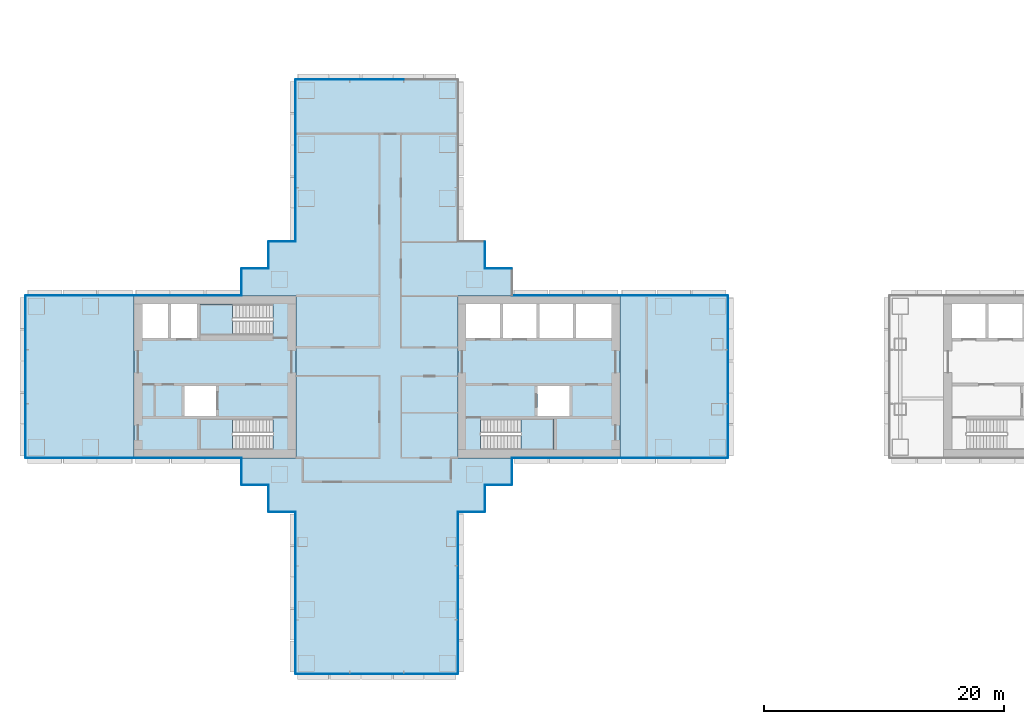
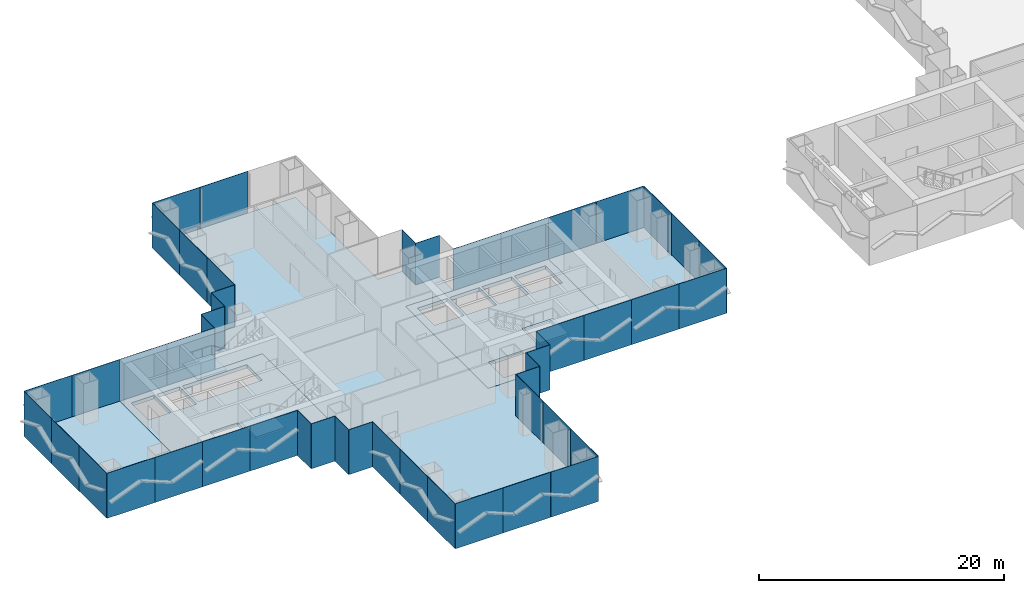
# One storey, part 11 of 22: 50 plates, 8 slabs, 22 elements without a shape of their own.
"""IFC4 building model written with IfcOpenShell, lengths in metres."""

from ifc_helpers import new_model, si_unit, direction, frame, origin, origin_2d, place, context, subcontext, project, spatial, polyline, rectangle, outline, extrude, material, layer, layer_set, type_object, element, aggregate, save


model = new_model("IFC4")

# Units and contexts
model_context = context("Model", 3, precision=1e-05, world=origin(), true_north=direction((0.0, 1.0)))
body_context = subcontext(model_context, "Body", "Model", "MODEL_VIEW")
ifc_project = project(units=[si_unit("LENGTHUNIT", "METRE"), si_unit("AREAUNIT", "SQUARE_METRE"), si_unit("VOLUMEUNIT", "CUBIC_METRE"), si_unit("PLANEANGLEUNIT", "RADIAN"), si_unit("MASSUNIT", "GRAM", prefix="KILO")], contexts=[model_context])

# Site, building, storey
site_placement = place(None, origin())
site = spatial("IfcSite", under=ifc_project, at=site_placement, CompositionType="ELEMENT")
building_placement = place(site_placement, origin())
building = spatial("IfcBuilding", under=site, at=building_placement, Name="Shamsa Quay Exchange Towers", CompositionType="ELEMENT")
storey_placement = place(building_placement, frame((0.0, 0.0, 37.5)))
storey = spatial("IfcBuildingStorey", under=building, at=storey_placement, Name="L07", CompositionType="ELEMENT", Elevation=37.5)

# Slabs
ifc_material_1 = material(Name="Concrete C50/60", Category="concrete")
ifc_layer_1 = layer(ifc_material_1, 0.35009765625)
ifc_layer_set_1 = layer_set([ifc_layer_1], Name="CORE FLOOR 350 C50/60")
slab_type_1 = type_object("IfcSlabType", Name="CORE FLOOR 350 C50/60", PredefinedType="FLOOR", material=ifc_layer_set_1)
slab_1_placement = place(storey_placement, frame((0.0, 0.0, -0.35009765625)))
element("IfcSlab", 1, at=slab_1_placement, inside=storey, type_object=slab_type_1, Name="Core floor T1A", PredefinedType="FLOOR", context=body_context, shape_type="SweptSolid", body=[
    extrude(outline(polyline([(-27.0, -6.75), (-13.5, -6.75), (-13.5, 6.75), (-27.0, 6.75), (-27.0, -6.75)]), holes=[polyline([(-25.099365234375, -6.050048828125), (-25.099365234375, -3.5), (-19.0, -3.5), (-19.0, -6.050048828125), (-25.099365234375, -6.050048828125)]), polyline([(-26.300048828125, 3.25), (-26.300048828125, 6.050048828125), (-23.5, 6.050048828125), (-23.5, 3.25), (-26.300048828125, 3.25)]), polyline([(-23.25, 3.25), (-23.25, 6.050048828125), (-20.449951171875, 6.050048828125), (-20.449951171875, 3.25), (-23.25, 3.25)]), polyline([(-20.199951171875, 3.25), (-20.199951171875, 6.050048828125), (-17.39990234375, 6.050048828125), (-17.39990234375, 3.25), (-20.199951171875, 3.25)]), polyline([(-17.14990234375, 3.25), (-17.14990234375, 6.050048828125), (-14.199951171875, 6.050048828125), (-14.199951171875, 3.25), (-17.14990234375, 3.25)]), polyline([(-20.35009765625, -3.25), (-20.35009765625, -0.75), (-17.699951171875, -0.75), (-17.699951171875, -3.25), (-20.35009765625, -3.25)])]), origin(), (0.0, 0.0, 1.0), 0.35009765625),
])
slab_2_placement = place(storey_placement, frame((0.0, 0.0, -0.35009765625)))
element("IfcSlab", 2, at=slab_2_placement, inside=storey, type_object=slab_type_1, Name="Core floor T1B", PredefinedType="FLOOR", context=body_context, shape_type="SweptSolid", body=[
    extrude(outline(polyline([(-40.5, -6.75), (-40.5, 6.75), (-54.0, 6.75), (-54.0, -6.75), (-40.5, -6.75)]), holes=[polyline([(-42.400634765625, -3.5), (-42.400634765625, -6.050048828125), (-48.5, -6.050048828125), (-48.5, -3.5), (-42.400634765625, -3.5)]), polyline([(-42.400634765625, 6.050048828125), (-42.400634765625, 3.5), (-48.5, 3.5), (-48.5, 6.050048828125), (-42.400634765625, 6.050048828125)]), polyline([(-48.75, 3.25), (-50.89990234375, 3.25), (-50.89990234375, 6.050048828125), (-48.75, 6.050048828125), (-48.75, 3.25)]), polyline([(-51.14990234375, 3.25), (-53.300048828125, 3.25), (-53.300048828125, 6.050048828125), (-51.14990234375, 6.050048828125), (-51.14990234375, 3.25)]), polyline([(-47.14990234375, -3.25), (-49.800048828125, -3.25), (-49.800048828125, -0.75), (-47.14990234375, -0.75), (-47.14990234375, -3.25)])]), origin(), (0.0, 0.0, 1.0), 0.35009765625),
])

# Stair, slab
ifc_material_2 = material(Name="Concrete C40/50", Category="concrete")
stair_type = type_object("IfcStairType", Name="EXIT STAIR 26 RISERS 173 MM", PredefinedType="HALF_TURN_STAIR", material=ifc_material_2)
stair_1_placement = place(storey_placement, origin())
stair_1 = element("IfcStair", 3, at=stair_1_placement, inside=storey, type_object=stair_type, Name="L07 Exit stair ST1", PredefinedType="HALF_TURN_STAIR")
ifc_layer_2 = layer(ifc_material_2, 0.199951171875)
ifc_layer_set_2 = layer_set([ifc_layer_2], Name="CORE STAIR LANDING")
slab_type_2 = type_object("IfcSlabType", Name="CORE STAIR LANDING", PredefinedType="LANDING", material=ifc_layer_set_2)
slab_3_placement = place(storey_placement, frame((0.0, 0.0, 2.050048828125)))
slab_3 = element("IfcSlab", 4, at=slab_3_placement, type_object=slab_type_2, Name="ST1 landing 1", PredefinedType="LANDING", context=body_context, shape_type="SweptSolid", body=[
    extrude(outline(polyline([(-21.739990234375, -6.050048828125), (-19.0, -6.050048828125), (-19.0, -3.5), (-21.739990234375, -3.5), (-21.739990234375, -6.050048828125)])), origin(), (0.0, 0.0, 1.0), 0.199951171875),
])
aggregate(stair_1, [slab_3])

stair_2_placement = place(storey_placement, origin())
stair_2 = element("IfcStair", 5, at=stair_2_placement, inside=storey, type_object=stair_type, Name="L07 Exit stair ST2", PredefinedType="HALF_TURN_STAIR")
slab_4_placement = place(storey_placement, frame((0.0, 0.0, 2.050048828125)))
slab_4 = element("IfcSlab", 6, at=slab_4_placement, type_object=slab_type_2, Name="ST2 landing 1", PredefinedType="LANDING", context=body_context, shape_type="SweptSolid", body=[
    extrude(outline(polyline([(-45.760009765625, -3.5), (-48.5, -3.5), (-48.5, -6.050048828125), (-45.760009765625, -6.050048828125), (-45.760009765625, -3.5)])), origin(), (0.0, 0.0, 1.0), 0.199951171875),
])
aggregate(stair_2, [slab_4])

stair_3_placement = place(storey_placement, origin())
stair_3 = element("IfcStair", 7, at=stair_3_placement, inside=storey, type_object=stair_type, Name="L07 Exit stair ST3", PredefinedType="HALF_TURN_STAIR")
slab_5_placement = place(storey_placement, frame((0.0, 0.0, 2.050048828125)))
slab_5 = element("IfcSlab", 8, at=slab_5_placement, type_object=slab_type_2, Name="ST3 landing 1", PredefinedType="LANDING", context=body_context, shape_type="SweptSolid", body=[
    extrude(outline(polyline([(-45.760009765625, 6.050048828125), (-48.5, 6.050048828125), (-48.5, 3.5), (-45.760009765625, 3.5), (-45.760009765625, 6.050048828125)])), origin(), (0.0, 0.0, 1.0), 0.199951171875),
])
aggregate(stair_3, [slab_5])

# Curtain wall, plates
ifc_material_3 = material(Name="Aluminium EN AW-6063 T6, black anodised", Category="aluminium")
ifc_layer_3 = layer(ifc_material_3, 0.280029296875)
ifc_layer_set_3 = layer_set([ifc_layer_3], Name="CW-1 UNITISED VISION GLASS")
curtain_wall_type_1 = type_object("IfcCurtainWallType", Name="CW-1 UNITISED VISION GLASS", PredefinedType="NOTDEFINED", material=ifc_layer_set_3)
curtain_wall_1_placement = place(storey_placement, origin())
curtain_wall_1 = element("IfcCurtainWall", 9, at=curtain_wall_1_placement, inside=storey, type_object=curtain_wall_type_1, Name="CW1 T1-FLK-V-W L07", PredefinedType="NOTDEFINED")
ifc_material_4 = material(Name="Glass, laminated, dark tinted", Category="glass")
ifc_layer_4 = layer(ifc_material_4, 0.0400390625)
ifc_layer_set_4 = layer_set([ifc_layer_4], Name="CW-1 VISION GLASS 40")
plate_type_1 = type_object("IfcPlateType", Name="CW-1 VISION GLASS 40", PredefinedType="CURTAIN_PANEL", material=ifc_layer_set_4)
plate_1_placement = place(storey_placement, frame((-40.52001953125, -13.529052734375, -0.35009765625), z_axis=(0.0, 0.0, 1.0), x_axis=(0.0, -1.0, 0.0)))
plate_1 = element("IfcPlate", 10, at=plate_1_placement, type_object=plate_type_1, Name="CW1 glass panel", PredefinedType="CURTAIN_PANEL", context=body_context, shape_type="SweptSolid", body=[
    extrude(rectangle(XDim=4.482421875, YDim=0.0400390625, at=origin_2d()), origin(), (0.0, 0.0, 1.0), 4.5),
])
plate_2_placement = place(storey_placement, frame((-40.52001953125, -18.01904296875, -0.35009765625), z_axis=(0.0, 0.0, 1.0), x_axis=(0.0, -1.0, 0.0)))
plate_2 = element("IfcPlate", 11, at=plate_2_placement, type_object=plate_type_1, Name="CW1 glass panel", PredefinedType="CURTAIN_PANEL", context=body_context, shape_type="SweptSolid", body=[
    extrude(rectangle(XDim=4.477294921875, YDim=0.0400390625, at=origin_2d()), origin(), (0.0, 0.0, 1.0), 4.5),
])
plate_3_placement = place(storey_placement, frame((-40.52001953125, -22.5087890625, -0.35009765625), z_axis=(0.0, 0.0, 1.0), x_axis=(0.0, -1.0, 0.0)))
plate_3 = element("IfcPlate", 12, at=plate_3_placement, type_object=plate_type_1, Name="CW1 glass panel", PredefinedType="CURTAIN_PANEL", context=body_context, shape_type="SweptSolid", body=[
    extrude(rectangle(XDim=4.482421875, YDim=0.0400390625, at=origin_2d()), origin(), (0.0, 0.0, 1.0), 4.5),
])
aggregate(curtain_wall_1, [plate_1, plate_2, plate_3])

curtain_wall_2_placement = place(storey_placement, origin())
curtain_wall_2 = element("IfcCurtainWall", 13, at=curtain_wall_2_placement, inside=storey, type_object=curtain_wall_type_1, Name="CW1 T1-END-V- L07", PredefinedType="NOTDEFINED")
plate_4_placement = place(storey_placement, frame((-38.25244140625, -24.77001953125, -0.35009765625)))
plate_4 = element("IfcPlate", 14, at=plate_4_placement, type_object=plate_type_1, Name="CW1 glass panel", PredefinedType="CURTAIN_PANEL", context=body_context, shape_type="SweptSolid", body=[
    extrude(rectangle(XDim=4.4951171875, YDim=0.0400390625, at=origin_2d()), origin(), (0.0, 0.0, 1.0), 4.5),
])
plate_5_placement = place(storey_placement, frame((-33.75, -24.77001953125, -0.35009765625)))
plate_5 = element("IfcPlate", 15, at=plate_5_placement, type_object=plate_type_1, Name="CW1 glass panel", PredefinedType="CURTAIN_PANEL", context=body_context, shape_type="SweptSolid", body=[
    extrude(rectangle(XDim=4.489990234375, YDim=0.0400390625, at=origin_2d()), origin(), (0.0, 0.0, 1.0), 4.5),
])
plate_6_placement = place(storey_placement, frame((-29.24755859375, -24.77001953125, -0.35009765625)))
plate_6 = element("IfcPlate", 16, at=plate_6_placement, type_object=plate_type_1, Name="CW1 glass panel", PredefinedType="CURTAIN_PANEL", context=body_context, shape_type="SweptSolid", body=[
    extrude(rectangle(XDim=4.4951171875, YDim=0.0400390625, at=origin_2d()), origin(), (0.0, 0.0, 1.0), 4.5),
])
aggregate(curtain_wall_2, [plate_4, plate_5, plate_6])

curtain_wall_3_placement = place(storey_placement, origin())
curtain_wall_3 = element("IfcCurtainWall", 17, at=curtain_wall_3_placement, inside=storey, type_object=curtain_wall_type_1, Name="CW1 T1-FLK-V-E L07", PredefinedType="NOTDEFINED")
plate_7_placement = place(storey_placement, frame((-26.97998046875, -22.50244140625, -0.35009765625), z_axis=(0.0, 0.0, 1.0), x_axis=(0.0, 1.0, 0.0)))
plate_7 = element("IfcPlate", 18, at=plate_7_placement, type_object=plate_type_1, Name="CW1 glass panel", PredefinedType="CURTAIN_PANEL", context=body_context, shape_type="SweptSolid", body=[
    extrude(rectangle(XDim=4.4951171875, YDim=0.0400390625, at=origin_2d()), origin(), (0.0, 0.0, 1.0), 4.5),
])
plate_8_placement = place(storey_placement, frame((-26.97998046875, -18.0, -0.35009765625), z_axis=(0.0, 0.0, 1.0), x_axis=(0.0, 1.0, 0.0)))
plate_8 = element("IfcPlate", 19, at=plate_8_placement, type_object=plate_type_1, Name="CW1 glass panel", PredefinedType="CURTAIN_PANEL", context=body_context, shape_type="SweptSolid", body=[
    extrude(rectangle(XDim=4.489990234375, YDim=0.0400390625, at=origin_2d()), origin(), (0.0, 0.0, 1.0), 4.5),
])
plate_9_placement = place(storey_placement, frame((-26.97998046875, -13.49755859375, -0.35009765625), z_axis=(0.0, 0.0, 1.0), x_axis=(0.0, 1.0, 0.0)))
plate_9 = element("IfcPlate", 20, at=plate_9_placement, type_object=plate_type_1, Name="CW1 glass panel", PredefinedType="CURTAIN_PANEL", context=body_context, shape_type="SweptSolid", body=[
    extrude(rectangle(XDim=4.4951171875, YDim=0.0400390625, at=origin_2d()), origin(), (0.0, 0.0, 1.0), 4.5),
])
aggregate(curtain_wall_3, [plate_7, plate_8, plate_9])

curtain_wall_4_placement = place(storey_placement, origin())
curtain_wall_4 = element("IfcCurtainWall", 21, at=curtain_wall_4_placement, inside=storey, type_object=curtain_wall_type_1, Name="CW1 T1-FLK-U+S L07", PredefinedType="NOTDEFINED")
plate_10_placement = place(storey_placement, frame((-11.25244140625, -6.77001953125, -0.35009765625)))
plate_10 = element("IfcPlate", 22, at=plate_10_placement, type_object=plate_type_1, Name="CW1 glass panel", PredefinedType="CURTAIN_PANEL", context=body_context, shape_type="SweptSolid", body=[
    extrude(rectangle(XDim=4.4951171875, YDim=0.0400390625, at=origin_2d()), origin(), (0.0, 0.0, 1.0), 4.5),
])
plate_11_placement = place(storey_placement, frame((-6.74755859375, -6.77001953125, -0.35009765625)))
plate_11 = element("IfcPlate", 23, at=plate_11_placement, type_object=plate_type_1, Name="CW1 glass panel", PredefinedType="CURTAIN_PANEL", context=body_context, shape_type="SweptSolid", body=[
    extrude(rectangle(XDim=4.4951171875, YDim=0.0400390625, at=origin_2d()), origin(), (0.0, 0.0, 1.0), 4.5),
])
aggregate(curtain_wall_4, [plate_10, plate_11])

curtain_wall_5_placement = place(storey_placement, origin())
curtain_wall_5 = element("IfcCurtainWall", 24, at=curtain_wall_5_placement, inside=storey, type_object=curtain_wall_type_1, Name="CW1 T1-END-U+ L07", PredefinedType="NOTDEFINED")
plate_12_placement = place(storey_placement, frame((-4.47998046875, -4.50244140625, -0.35009765625), z_axis=(0.0, 0.0, 1.0), x_axis=(0.0, 1.0, 0.0)))
plate_12 = element("IfcPlate", 25, at=plate_12_placement, type_object=plate_type_1, Name="CW1 glass panel", PredefinedType="CURTAIN_PANEL", context=body_context, shape_type="SweptSolid", body=[
    extrude(rectangle(XDim=4.4951171875, YDim=0.0400390625, at=origin_2d()), origin(), (0.0, 0.0, 1.0), 4.5),
])
plate_13_placement = place(storey_placement, frame((-4.47998046875, 0.0, -0.35009765625), z_axis=(0.0, 0.0, 1.0), x_axis=(0.0, 1.0, 0.0)))
plate_13 = element("IfcPlate", 26, at=plate_13_placement, type_object=plate_type_1, Name="CW1 glass panel", PredefinedType="CURTAIN_PANEL", context=body_context, shape_type="SweptSolid", body=[
    extrude(rectangle(XDim=4.489990234375, YDim=0.0400390625, at=origin_2d()), origin(), (0.0, 0.0, 1.0), 4.5),
])
plate_14_placement = place(storey_placement, frame((-4.47998046875, 4.50244140625, -0.35009765625), z_axis=(0.0, 0.0, 1.0), x_axis=(0.0, 1.0, 0.0)))
plate_14 = element("IfcPlate", 27, at=plate_14_placement, type_object=plate_type_1, Name="CW1 glass panel", PredefinedType="CURTAIN_PANEL", context=body_context, shape_type="SweptSolid", body=[
    extrude(rectangle(XDim=4.4951171875, YDim=0.0400390625, at=origin_2d()), origin(), (0.0, 0.0, 1.0), 4.5),
])
aggregate(curtain_wall_5, [plate_12, plate_13, plate_14])

curtain_wall_6_placement = place(storey_placement, origin())
curtain_wall_6 = element("IfcCurtainWall", 28, at=curtain_wall_6_placement, inside=storey, type_object=curtain_wall_type_1, Name="CW1 T1-FLK-U+N L07", PredefinedType="NOTDEFINED")
plate_15_placement = place(storey_placement, frame((-6.74755859375, 6.77001953125, -0.35009765625), z_axis=(0.0, 0.0, 1.0), x_axis=(-1.0, 0.0, 0.0)))
plate_15 = element("IfcPlate", 29, at=plate_15_placement, type_object=plate_type_1, Name="CW1 glass panel", PredefinedType="CURTAIN_PANEL", context=body_context, shape_type="SweptSolid", body=[
    extrude(rectangle(XDim=4.4951171875, YDim=0.0400390625, at=origin_2d()), origin(), (0.0, 0.0, 1.0), 4.5),
])
plate_16_placement = place(storey_placement, frame((-11.25244140625, 6.77001953125, -0.35009765625), z_axis=(0.0, 0.0, 1.0), x_axis=(-1.0, 0.0, 0.0)))
plate_16 = element("IfcPlate", 30, at=plate_16_placement, type_object=plate_type_1, Name="CW1 glass panel", PredefinedType="CURTAIN_PANEL", context=body_context, shape_type="SweptSolid", body=[
    extrude(rectangle(XDim=4.4951171875, YDim=0.0400390625, at=origin_2d()), origin(), (0.0, 0.0, 1.0), 4.5),
])
aggregate(curtain_wall_6, [plate_15, plate_16])

curtain_wall_7_placement = place(storey_placement, origin())
curtain_wall_7 = element("IfcCurtainWall", 31, at=curtain_wall_7_placement, inside=storey, type_object=curtain_wall_type_1, Name="CW1 T1-END-V+ L07", PredefinedType="NOTDEFINED")
plate_17_placement = place(storey_placement, frame((-33.75, 24.77001953125, -0.35009765625), z_axis=(0.0, 0.0, 1.0), x_axis=(-1.0, 0.0, 0.0)))
plate_17 = element("IfcPlate", 32, at=plate_17_placement, type_object=plate_type_1, Name="CW1 glass panel", PredefinedType="CURTAIN_PANEL", context=body_context, shape_type="SweptSolid", body=[
    extrude(rectangle(XDim=4.489990234375, YDim=0.0400390625, at=origin_2d()), origin(), (0.0, 0.0, 1.0), 4.5),
])
plate_18_placement = place(storey_placement, frame((-38.25244140625, 24.77001953125, -0.35009765625), z_axis=(0.0, 0.0, 1.0), x_axis=(-1.0, 0.0, 0.0)))
plate_18 = element("IfcPlate", 33, at=plate_18_placement, type_object=plate_type_1, Name="CW1 glass panel", PredefinedType="CURTAIN_PANEL", context=body_context, shape_type="SweptSolid", body=[
    extrude(rectangle(XDim=4.4951171875, YDim=0.0400390625, at=origin_2d()), origin(), (0.0, 0.0, 1.0), 4.5),
])
aggregate(curtain_wall_7, [plate_17, plate_18])

curtain_wall_8_placement = place(storey_placement, origin())
curtain_wall_8 = element("IfcCurtainWall", 34, at=curtain_wall_8_placement, inside=storey, type_object=curtain_wall_type_1, Name="CW1 T1-FLK-V+W L07", PredefinedType="NOTDEFINED")
plate_19_placement = place(storey_placement, frame((-40.52001953125, 22.50244140625, -0.35009765625), z_axis=(0.0, 0.0, 1.0), x_axis=(0.0, -1.0, 0.0)))
plate_19 = element("IfcPlate", 35, at=plate_19_placement, type_object=plate_type_1, Name="CW1 glass panel", PredefinedType="CURTAIN_PANEL", context=body_context, shape_type="SweptSolid", body=[
    extrude(rectangle(XDim=4.4951171875, YDim=0.0400390625, at=origin_2d()), origin(), (0.0, 0.0, 1.0), 4.5),
])
plate_20_placement = place(storey_placement, frame((-40.52001953125, 18.0, -0.35009765625), z_axis=(0.0, 0.0, 1.0), x_axis=(0.0, -1.0, 0.0)))
plate_20 = element("IfcPlate", 36, at=plate_20_placement, type_object=plate_type_1, Name="CW1 glass panel", PredefinedType="CURTAIN_PANEL", context=body_context, shape_type="SweptSolid", body=[
    extrude(rectangle(XDim=4.489990234375, YDim=0.0400390625, at=origin_2d()), origin(), (0.0, 0.0, 1.0), 4.5),
])
plate_21_placement = place(storey_placement, frame((-40.52001953125, 13.49755859375, -0.35009765625), z_axis=(0.0, 0.0, 1.0), x_axis=(0.0, -1.0, 0.0)))
plate_21 = element("IfcPlate", 37, at=plate_21_placement, type_object=plate_type_1, Name="CW1 glass panel", PredefinedType="CURTAIN_PANEL", context=body_context, shape_type="SweptSolid", body=[
    extrude(rectangle(XDim=4.4951171875, YDim=0.0400390625, at=origin_2d()), origin(), (0.0, 0.0, 1.0), 4.5),
])
aggregate(curtain_wall_8, [plate_19, plate_20, plate_21])

curtain_wall_9_placement = place(storey_placement, origin())
curtain_wall_9 = element("IfcCurtainWall", 38, at=curtain_wall_9_placement, inside=storey, type_object=curtain_wall_type_1, Name="CW1 T1-FLK-U-N L07", PredefinedType="NOTDEFINED")
plate_22_placement = place(storey_placement, frame((-56.24755859375, 6.77001953125, -0.35009765625), z_axis=(0.0, 0.0, 1.0), x_axis=(-1.0, 0.0, 0.0)))
plate_22 = element("IfcPlate", 39, at=plate_22_placement, type_object=plate_type_1, Name="CW1 glass panel", PredefinedType="CURTAIN_PANEL", context=body_context, shape_type="SweptSolid", body=[
    extrude(rectangle(XDim=4.4951171875, YDim=0.0400390625, at=origin_2d()), origin(), (0.0, 0.0, 1.0), 4.5),
])
plate_23_placement = place(storey_placement, frame((-60.75244140625, 6.77001953125, -0.35009765625), z_axis=(0.0, 0.0, 1.0), x_axis=(-1.0, 0.0, 0.0)))
plate_23 = element("IfcPlate", 40, at=plate_23_placement, type_object=plate_type_1, Name="CW1 glass panel", PredefinedType="CURTAIN_PANEL", context=body_context, shape_type="SweptSolid", body=[
    extrude(rectangle(XDim=4.4951171875, YDim=0.0400390625, at=origin_2d()), origin(), (0.0, 0.0, 1.0), 4.5),
])
aggregate(curtain_wall_9, [plate_22, plate_23])

curtain_wall_10_placement = place(storey_placement, origin())
curtain_wall_10 = element("IfcCurtainWall", 41, at=curtain_wall_10_placement, inside=storey, type_object=curtain_wall_type_1, Name="CW1 T1-END-U- L07", PredefinedType="NOTDEFINED")
plate_24_placement = place(storey_placement, frame((-63.02001953125, 4.50244140625, -0.35009765625), z_axis=(0.0, 0.0, 1.0), x_axis=(0.0, -1.0, 0.0)))
plate_24 = element("IfcPlate", 42, at=plate_24_placement, type_object=plate_type_1, Name="CW1 glass panel", PredefinedType="CURTAIN_PANEL", context=body_context, shape_type="SweptSolid", body=[
    extrude(rectangle(XDim=4.4951171875, YDim=0.0400390625, at=origin_2d()), origin(), (0.0, 0.0, 1.0), 4.5),
])
plate_25_placement = place(storey_placement, frame((-63.02001953125, 0.0, -0.35009765625), z_axis=(0.0, 0.0, 1.0), x_axis=(0.0, -1.0, 0.0)))
plate_25 = element("IfcPlate", 43, at=plate_25_placement, type_object=plate_type_1, Name="CW1 glass panel", PredefinedType="CURTAIN_PANEL", context=body_context, shape_type="SweptSolid", body=[
    extrude(rectangle(XDim=4.489990234375, YDim=0.0400390625, at=origin_2d()), origin(), (0.0, 0.0, 1.0), 4.5),
])
plate_26_placement = place(storey_placement, frame((-63.02001953125, -4.50244140625, -0.35009765625), z_axis=(0.0, 0.0, 1.0), x_axis=(0.0, -1.0, 0.0)))
plate_26 = element("IfcPlate", 44, at=plate_26_placement, type_object=plate_type_1, Name="CW1 glass panel", PredefinedType="CURTAIN_PANEL", context=body_context, shape_type="SweptSolid", body=[
    extrude(rectangle(XDim=4.4951171875, YDim=0.0400390625, at=origin_2d()), origin(), (0.0, 0.0, 1.0), 4.5),
])
aggregate(curtain_wall_10, [plate_24, plate_25, plate_26])

curtain_wall_11_placement = place(storey_placement, origin())
curtain_wall_11 = element("IfcCurtainWall", 45, at=curtain_wall_11_placement, inside=storey, type_object=curtain_wall_type_1, Name="CW1 T1-FLK-U-S L07", PredefinedType="NOTDEFINED")
plate_27_placement = place(storey_placement, frame((-60.75244140625, -6.77001953125, -0.35009765625)))
plate_27 = element("IfcPlate", 46, at=plate_27_placement, type_object=plate_type_1, Name="CW1 glass panel", PredefinedType="CURTAIN_PANEL", context=body_context, shape_type="SweptSolid", body=[
    extrude(rectangle(XDim=4.4951171875, YDim=0.0400390625, at=origin_2d()), origin(), (0.0, 0.0, 1.0), 4.5),
])
plate_28_placement = place(storey_placement, frame((-56.24755859375, -6.77001953125, -0.35009765625)))
plate_28 = element("IfcPlate", 47, at=plate_28_placement, type_object=plate_type_1, Name="CW1 glass panel", PredefinedType="CURTAIN_PANEL", context=body_context, shape_type="SweptSolid", body=[
    extrude(rectangle(XDim=4.4951171875, YDim=0.0400390625, at=origin_2d()), origin(), (0.0, 0.0, 1.0), 4.5),
])
aggregate(curtain_wall_11, [plate_27, plate_28])

ifc_layer_5 = layer(ifc_material_3, 0.303955078125)
ifc_layer_set_5 = layer_set([ifc_layer_5], Name="CW-2 UNITISED OPAQUE SPANDREL GLASS")
curtain_wall_type_2 = type_object("IfcCurtainWallType", Name="CW-2 UNITISED OPAQUE SPANDREL GLASS", PredefinedType="NOTDEFINED", material=ifc_layer_set_5)
curtain_wall_12_placement = place(storey_placement, origin())
curtain_wall_12 = element("IfcCurtainWall", 48, at=curtain_wall_12_placement, inside=storey, type_object=curtain_wall_type_2, Name="CW2 T1-FLK-U+S L07", PredefinedType="NOTDEFINED")
ifc_material_5 = material(Name="Glass, laminated, black enamelled opaque", Category="glass")
ifc_layer_6 = layer(ifc_material_5, 0.0439453125)
ifc_layer_set_6 = layer_set([ifc_layer_6], Name="CW-2 SPANDREL GLASS 44")
plate_type_2 = type_object("IfcPlateType", Name="CW-2 SPANDREL GLASS 44", PredefinedType="CURTAIN_PANEL", material=ifc_layer_set_6)
plate_29_placement = place(storey_placement, frame((-20.22412109375, -6.77197265625, -0.35009765625)))
plate_29 = element("IfcPlate", 49, at=plate_29_placement, type_object=plate_type_2, Name="CW2 glass panel", PredefinedType="CURTAIN_PANEL", context=body_context, shape_type="SweptSolid", body=[
    extrude(rectangle(XDim=4.47607421875, YDim=0.0439453125, at=origin_2d()), origin(), (0.0, 0.0, 1.0), 4.5),
])
plate_30_placement = place(storey_placement, frame((-15.738037109375, -6.77197265625, -0.35009765625)))
plate_30 = element("IfcPlate", 50, at=plate_30_placement, type_object=plate_type_2, Name="CW2 glass panel", PredefinedType="CURTAIN_PANEL", context=body_context, shape_type="SweptSolid", body=[
    extrude(rectangle(XDim=4.47607421875, YDim=0.0439453125, at=origin_2d()), origin(), (0.0, 0.0, 1.0), 4.5),
])
aggregate(curtain_wall_12, [plate_29, plate_30])

curtain_wall_13_placement = place(storey_placement, origin())
curtain_wall_13 = element("IfcCurtainWall", 51, at=curtain_wall_13_placement, inside=storey, type_object=curtain_wall_type_2, Name="CW2 T1-FLK-U+N L07", PredefinedType="NOTDEFINED")
plate_31_placement = place(storey_placement, frame((-15.74755859375, 6.77197265625, -0.35009765625), z_axis=(0.0, 0.0, 1.0), x_axis=(-1.0, 0.0, 0.0)))
plate_31 = element("IfcPlate", 52, at=plate_31_placement, type_object=plate_type_2, Name="CW2 glass panel", PredefinedType="CURTAIN_PANEL", context=body_context, shape_type="SweptSolid", body=[
    extrude(rectangle(XDim=4.4951171875, YDim=0.0439453125, at=origin_2d()), origin(), (0.0, 0.0, 1.0), 4.5),
])
plate_32_placement = place(storey_placement, frame((-20.25244140625, 6.77197265625, -0.35009765625), z_axis=(0.0, 0.0, 1.0), x_axis=(-1.0, 0.0, 0.0)))
plate_32 = element("IfcPlate", 53, at=plate_32_placement, type_object=plate_type_2, Name="CW2 glass panel", PredefinedType="CURTAIN_PANEL", context=body_context, shape_type="SweptSolid", body=[
    extrude(rectangle(XDim=4.4951171875, YDim=0.0439453125, at=origin_2d()), origin(), (0.0, 0.0, 1.0), 4.5),
])
aggregate(curtain_wall_13, [plate_31, plate_32])

curtain_wall_14_placement = place(storey_placement, origin())
curtain_wall_14 = element("IfcCurtainWall", 54, at=curtain_wall_14_placement, inside=storey, type_object=curtain_wall_type_2, Name="CW2 T1-FLK-U-N L07", PredefinedType="NOTDEFINED")
plate_33_placement = place(storey_placement, frame((-47.27587890625, 6.77197265625, -0.35009765625), z_axis=(0.0, 0.0, 1.0), x_axis=(-1.0, 0.0, 0.0)))
plate_33 = element("IfcPlate", 55, at=plate_33_placement, type_object=plate_type_2, Name="CW2 glass panel", PredefinedType="CURTAIN_PANEL", context=body_context, shape_type="SweptSolid", body=[
    extrude(rectangle(XDim=4.47607421875, YDim=0.0439453125, at=origin_2d()), origin(), (0.0, 0.0, 1.0), 4.5),
])
plate_34_placement = place(storey_placement, frame((-51.761962890625, 6.77197265625, -0.35009765625), z_axis=(0.0, 0.0, 1.0), x_axis=(-1.0, 0.0, 0.0)))
plate_34 = element("IfcPlate", 56, at=plate_34_placement, type_object=plate_type_2, Name="CW2 glass panel", PredefinedType="CURTAIN_PANEL", context=body_context, shape_type="SweptSolid", body=[
    extrude(rectangle(XDim=4.47607421875, YDim=0.0439453125, at=origin_2d()), origin(), (0.0, 0.0, 1.0), 4.5),
])
aggregate(curtain_wall_14, [plate_33, plate_34])

curtain_wall_15_placement = place(storey_placement, origin())
curtain_wall_15 = element("IfcCurtainWall", 57, at=curtain_wall_15_placement, inside=storey, type_object=curtain_wall_type_2, Name="CW2 T1-FLK-U-S L07", PredefinedType="NOTDEFINED")
plate_35_placement = place(storey_placement, frame((-51.75244140625, -6.77197265625, -0.35009765625)))
plate_35 = element("IfcPlate", 58, at=plate_35_placement, type_object=plate_type_2, Name="CW2 glass panel", PredefinedType="CURTAIN_PANEL", context=body_context, shape_type="SweptSolid", body=[
    extrude(rectangle(XDim=4.4951171875, YDim=0.0439453125, at=origin_2d()), origin(), (0.0, 0.0, 1.0), 4.5),
])
plate_36_placement = place(storey_placement, frame((-47.24755859375, -6.77197265625, -0.35009765625)))
plate_36 = element("IfcPlate", 59, at=plate_36_placement, type_object=plate_type_2, Name="CW2 glass panel", PredefinedType="CURTAIN_PANEL", context=body_context, shape_type="SweptSolid", body=[
    extrude(rectangle(XDim=4.4951171875, YDim=0.0439453125, at=origin_2d()), origin(), (0.0, 0.0, 1.0), 4.5),
])
aggregate(curtain_wall_15, [plate_35, plate_36])

ifc_layer_7 = layer(ifc_material_3, 0.256103515625)
ifc_layer_set_7 = layer_set([ifc_layer_7], Name="CW-4 POCKET SERRATED GLAZING")
curtain_wall_type_3 = type_object("IfcCurtainWallType", Name="CW-4 POCKET SERRATED GLAZING", PredefinedType="NOTDEFINED", material=ifc_layer_set_7)
curtain_wall_16_placement = place(storey_placement, origin())
curtain_wall_16 = element("IfcCurtainWall", 60, at=curtain_wall_16_placement, inside=storey, type_object=curtain_wall_type_3, Name="CW4 PKWS L07", PredefinedType="NOTDEFINED")
ifc_layer_8 = layer(ifc_material_4, 0.035888671875)
ifc_layer_set_8 = layer_set([ifc_layer_8], Name="CW-4 POCKET GLASS 36")
plate_type_3 = type_object("IfcPlateType", Name="CW-4 POCKET GLASS 36", PredefinedType="CURTAIN_PANEL", material=ifc_layer_set_8)
plate_37_placement = place(storey_placement, frame((-42.76806640625, -10.14404296875, -0.35009765625), z_axis=(0.0, 0.0, 1.0), x_axis=(0.0, -1.0, 0.0)))
plate_37 = element("IfcPlate", 61, at=plate_37_placement, type_object=plate_type_3, Name="CW4 glass panel", PredefinedType="CURTAIN_PANEL", context=body_context, shape_type="SweptSolid", body=[
    extrude(rectangle(XDim=2.2119140625, YDim=0.035888671875, at=origin_2d()), origin(), (0.0, 0.0, 1.0), 4.5),
])
plate_38_placement = place(storey_placement, frame((-41.625, -11.26806640625, -0.35009765625)))
plate_38 = element("IfcPlate", 62, at=plate_38_placement, type_object=plate_type_3, Name="CW4 glass panel", PredefinedType="CURTAIN_PANEL", context=body_context, shape_type="SweptSolid", body=[
    extrude(rectangle(XDim=2.25, YDim=0.035888671875, at=origin_2d()), origin(), (0.0, 0.0, 1.0), 4.5),
])
plate_39_placement = place(storey_placement, frame((-45.01806640625, -7.89794921875, -0.35009765625), z_axis=(0.0, 0.0, 1.0), x_axis=(0.0, -1.0, 0.0)))
plate_39 = element("IfcPlate", 63, at=plate_39_placement, type_object=plate_type_3, Name="CW4 glass panel", PredefinedType="CURTAIN_PANEL", context=body_context, shape_type="SweptSolid", body=[
    extrude(rectangle(XDim=2.2041015625, YDim=0.035888671875, at=origin_2d()), origin(), (0.0, 0.0, 1.0), 4.5),
])
plate_40_placement = place(storey_placement, frame((-43.875, -9.01806640625, -0.35009765625)))
plate_40 = element("IfcPlate", 64, at=plate_40_placement, type_object=plate_type_3, Name="CW4 glass panel", PredefinedType="CURTAIN_PANEL", context=body_context, shape_type="SweptSolid", body=[
    extrude(rectangle(XDim=2.25, YDim=0.035888671875, at=origin_2d()), origin(), (0.0, 0.0, 1.0), 4.5),
])
aggregate(curtain_wall_16, [plate_37, plate_38, plate_39, plate_40])

curtain_wall_17_placement = place(storey_placement, origin())
curtain_wall_17 = element("IfcCurtainWall", 65, at=curtain_wall_17_placement, inside=storey, type_object=curtain_wall_type_3, Name="CW4 PKES L07", PredefinedType="NOTDEFINED")
plate_41_placement = place(storey_placement, frame((-25.85400390625, -11.26806640625, -0.35009765625)))
plate_41 = element("IfcPlate", 66, at=plate_41_placement, type_object=plate_type_3, Name="CW4 glass panel", PredefinedType="CURTAIN_PANEL", context=body_context, shape_type="SweptSolid", body=[
    extrude(rectangle(XDim=2.2080078125, YDim=0.035888671875, at=origin_2d()), origin(), (0.0, 0.0, 1.0), 4.5),
])
plate_42_placement = place(storey_placement, frame((-24.73193359375, -10.125, -0.35009765625), z_axis=(0.0, 0.0, 1.0), x_axis=(0.0, 1.0, 0.0)))
plate_42 = element("IfcPlate", 67, at=plate_42_placement, type_object=plate_type_3, Name="CW4 glass panel", PredefinedType="CURTAIN_PANEL", context=body_context, shape_type="SweptSolid", body=[
    extrude(rectangle(XDim=2.25, YDim=0.035888671875, at=origin_2d()), origin(), (0.0, 0.0, 1.0), 4.5),
])
plate_43_placement = place(storey_placement, frame((-23.60595703125, -9.01806640625, -0.35009765625)))
plate_43 = element("IfcPlate", 68, at=plate_43_placement, type_object=plate_type_3, Name="CW4 glass panel", PredefinedType="CURTAIN_PANEL", context=body_context, shape_type="SweptSolid", body=[
    extrude(rectangle(XDim=2.2119140625, YDim=0.035888671875, at=origin_2d()), origin(), (0.0, 0.0, 1.0), 4.5),
])
plate_44_placement = place(storey_placement, frame((-22.48193359375, -7.875, -0.35009765625), z_axis=(0.0, 0.0, 1.0), x_axis=(0.0, 1.0, 0.0)))
plate_44 = element("IfcPlate", 69, at=plate_44_placement, type_object=plate_type_3, Name="CW4 glass panel", PredefinedType="CURTAIN_PANEL", context=body_context, shape_type="SweptSolid", body=[
    extrude(rectangle(XDim=2.25, YDim=0.035888671875, at=origin_2d()), origin(), (0.0, 0.0, 1.0), 4.5),
])
aggregate(curtain_wall_17, [plate_41, plate_42, plate_43, plate_44])

curtain_wall_18_placement = place(storey_placement, origin())
curtain_wall_18 = element("IfcCurtainWall", 70, at=curtain_wall_18_placement, inside=storey, type_object=curtain_wall_type_3, Name="CW4 PKEN L07", PredefinedType="NOTDEFINED")
plate_45_placement = place(storey_placement, frame((-23.625, 9.01806640625, -0.35009765625), z_axis=(0.0, 0.0, 1.0), x_axis=(-1.0, 0.0, 0.0)))
plate_45 = element("IfcPlate", 71, at=plate_45_placement, type_object=plate_type_3, Name="CW4 glass panel", PredefinedType="CURTAIN_PANEL", context=body_context, shape_type="SweptSolid", body=[
    extrude(rectangle(XDim=2.25, YDim=0.035888671875, at=origin_2d()), origin(), (0.0, 0.0, 1.0), 4.5),
])
plate_46_placement = place(storey_placement, frame((-24.73193359375, 10.14404296875, -0.35009765625), z_axis=(0.0, 0.0, 1.0), x_axis=(0.0, 1.0, 0.0)))
plate_46 = element("IfcPlate", 72, at=plate_46_placement, type_object=plate_type_3, Name="CW4 glass panel", PredefinedType="CURTAIN_PANEL", context=body_context, shape_type="SweptSolid", body=[
    extrude(rectangle(XDim=2.2119140625, YDim=0.035888671875, at=origin_2d()), origin(), (0.0, 0.0, 1.0), 4.5),
])
aggregate(curtain_wall_18, [plate_45, plate_46])

curtain_wall_19_placement = place(storey_placement, origin())
curtain_wall_19 = element("IfcCurtainWall", 73, at=curtain_wall_19_placement, inside=storey, type_object=curtain_wall_type_3, Name="CW4 PKWN L07", PredefinedType="NOTDEFINED")
plate_47_placement = place(storey_placement, frame((-41.64599609375, 11.26806640625, -0.35009765625), z_axis=(0.0, 0.0, 1.0), x_axis=(-1.0, 0.0, 0.0)))
plate_47 = element("IfcPlate", 74, at=plate_47_placement, type_object=plate_type_3, Name="CW4 glass panel", PredefinedType="CURTAIN_PANEL", context=body_context, shape_type="SweptSolid", body=[
    extrude(rectangle(XDim=2.2080078125, YDim=0.035888671875, at=origin_2d()), origin(), (0.0, 0.0, 1.0), 4.5),
])
plate_48_placement = place(storey_placement, frame((-42.76806640625, 10.125, -0.35009765625), z_axis=(0.0, 0.0, 1.0), x_axis=(0.0, -1.0, 0.0)))
plate_48 = element("IfcPlate", 75, at=plate_48_placement, type_object=plate_type_3, Name="CW4 glass panel", PredefinedType="CURTAIN_PANEL", context=body_context, shape_type="SweptSolid", body=[
    extrude(rectangle(XDim=2.25, YDim=0.035888671875, at=origin_2d()), origin(), (0.0, 0.0, 1.0), 4.5),
])
plate_49_placement = place(storey_placement, frame((-43.89404296875, 9.01806640625, -0.35009765625), z_axis=(0.0, 0.0, 1.0), x_axis=(-1.0, 0.0, 0.0)))
plate_49 = element("IfcPlate", 76, at=plate_49_placement, type_object=plate_type_3, Name="CW4 glass panel", PredefinedType="CURTAIN_PANEL", context=body_context, shape_type="SweptSolid", body=[
    extrude(rectangle(XDim=2.2119140625, YDim=0.035888671875, at=origin_2d()), origin(), (0.0, 0.0, 1.0), 4.5),
])
plate_50_placement = place(storey_placement, frame((-45.01806640625, 7.875, -0.35009765625), z_axis=(0.0, 0.0, 1.0), x_axis=(0.0, -1.0, 0.0)))
plate_50 = element("IfcPlate", 77, at=plate_50_placement, type_object=plate_type_3, Name="CW4 glass panel", PredefinedType="CURTAIN_PANEL", context=body_context, shape_type="SweptSolid", body=[
    extrude(rectangle(XDim=2.25, YDim=0.035888671875, at=origin_2d()), origin(), (0.0, 0.0, 1.0), 4.5),
])
aggregate(curtain_wall_19, [plate_47, plate_48, plate_49, plate_50])

# Slabs
ifc_layer_9 = layer(ifc_material_2, 0.35009765625)
ifc_layer_set_9 = layer_set([ifc_layer_9], Name="Flat slab 350")
slab_type_3 = type_object("IfcSlabType", Name="Flat slab 350", PredefinedType="FLOOR", material=ifc_layer_set_9)
slab_6_placement = place(storey_placement, frame((0.0, 0.0, -0.35009765625)))
element("IfcSlab", 78, at=slab_6_placement, inside=storey, type_object=slab_type_3, Name="Flat slab T1 L07 1", PredefinedType="FLOOR", context=body_context, shape_type="SweptSolid", body=[
    extrude(outline(polyline([(-63.0, -6.75), (-54.0, -6.75), (-54.0, 6.75), (-63.0, 6.75), (-63.0, -6.75)])), origin(), (0.0, 0.0, 1.0), 0.35009765625),
])
slab_7_placement = place(storey_placement, frame((0.0, 0.0, -0.35009765625)))
element("IfcSlab", 79, at=slab_7_placement, inside=storey, type_object=slab_type_3, Name="Flat slab T1 L07 2", PredefinedType="FLOOR", context=body_context, shape_type="SweptSolid", body=[
    extrude(outline(polyline([(-22.5, -9.0), (-22.5, -6.75), (-27.0, -6.75), (-27.0, 6.75), (-22.5, 6.75), (-22.5, 9.0), (-24.75, 9.0), (-24.75, 11.25), (-27.0, 11.25), (-27.0, 24.75), (-40.5, 24.75), (-40.5, 11.25), (-42.75, 11.25), (-42.75, 9.0), (-45.0, 9.0), (-45.0, 6.75), (-40.5, 6.75), (-40.5, -6.75), (-45.0, -6.75), (-45.0, -9.0), (-42.75, -9.0), (-42.75, -11.25), (-40.5, -11.25), (-40.5, -24.75), (-27.0, -24.75), (-27.0, -11.25), (-24.75, -11.25), (-24.75, -9.0), (-22.5, -9.0)])), origin(), (0.0, 0.0, 1.0), 0.35009765625),
])
slab_8_placement = place(storey_placement, frame((0.0, 0.0, -0.35009765625)))
element("IfcSlab", 80, at=slab_8_placement, inside=storey, type_object=slab_type_3, Name="Flat slab T1 L07 3", PredefinedType="FLOOR", context=body_context, shape_type="SweptSolid", body=[
    extrude(outline(polyline([(-4.5, 6.75), (-13.5, 6.75), (-13.5, -6.75), (-4.5, -6.75), (-4.5, 6.75)])), origin(), (0.0, 0.0, 1.0), 0.35009765625),
])

save(model, "model.ifc")
